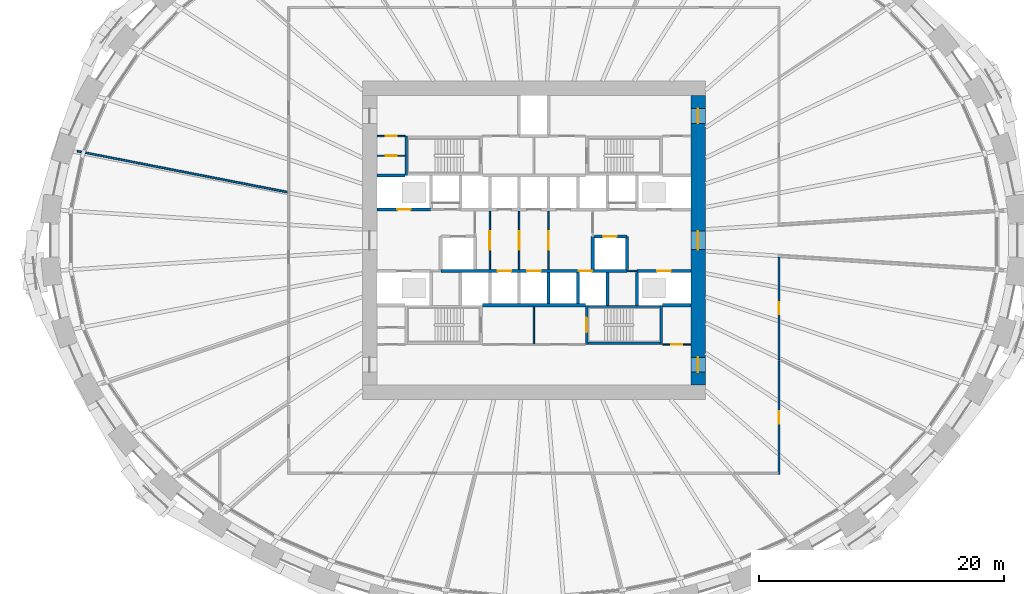
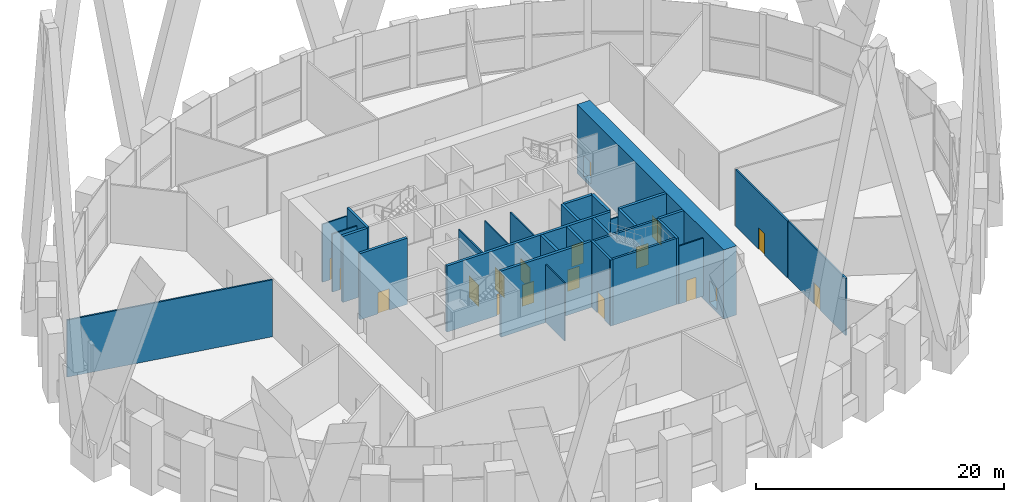
# One storey, part 10 of 17: 30 walls, 18 doors, 18 openings.
"""IFC4 building model written with IfcOpenShell, lengths in metres."""

from ifc_helpers import new_model, si_unit, direction, frame, frame_2d, origin, place, context, subcontext, project, spatial, rectangle, extrude, source, transform, mapped, material, layer, layer_set, type_object, element, fill, save


model = new_model("IFC4")

# Units and contexts
model_context = context("Model", 3, precision=1e-05, world=origin(), true_north=direction((0.0, 1.0)))
body_context = subcontext(model_context, "Body", "Model", "MODEL_VIEW")
ifc_project = project(units=[si_unit("LENGTHUNIT", "METRE"), si_unit("AREAUNIT", "SQUARE_METRE"), si_unit("VOLUMEUNIT", "CUBIC_METRE"), si_unit("PLANEANGLEUNIT", "RADIAN"), si_unit("MASSUNIT", "GRAM", prefix="KILO")], contexts=[model_context])

# Site, building, storey
site_placement = place(None, origin())
site = spatial("IfcSite", under=ifc_project, at=site_placement, CompositionType="ELEMENT")
building_placement = place(site_placement, origin())
building = spatial("IfcBuilding", under=site, at=building_placement, Name="Embergate Tower", CompositionType="ELEMENT")
storey_placement = place(building_placement, frame((0.0, 0.0, 125.0)))
storey = spatial("IfcBuildingStorey", under=building, at=storey_placement, Name="L27", CompositionType="ELEMENT", Elevation=125.0)

# Wall, openings, doors
ifc_material_1 = material(Name="Concrete C80", Category="concrete")
ifc_layer_1 = layer(ifc_material_1, 1.199951171875)
ifc_layer_set_1 = layer_set([ifc_layer_1], Name="Concrete C80")
wall_type_1 = type_object("IfcWallType", Name="Core outer wall C80 1200", PredefinedType="SHEAR", material=ifc_layer_set_1)
shared_shape_1 = source(origin(), body_context, "Body", "SweptSolid", [
    extrude(rectangle(XDim=23.60009765625, YDim=1.199951171875, at=frame_2d((11.800048828125, 0.0))), origin(), (0.0, 0.0, 1.0), 6.800048828125),
])
wall_1_placement = place(storey_placement, frame((13.39990234375, -11.800048828125, -0.300048828125), z_axis=(0.0, 0.0, 1.0), x_axis=(0.0, 1.0, 0.0)))
wall_1 = element("IfcWall", 1, at=wall_1_placement, inside=storey, type_object=wall_type_1, Name="CW-L27-E", PredefinedType="SHEAR", context=body_context, shape_type="MappedRepresentation", body=[
    mapped(shared_shape_1, transform((0.0, 0.0, 0.0))),
])
shared_shape_2 = source(origin(), body_context, "Body", "SweptSolid", [
    extrude(rectangle(XDim=1.199951171875, YDim=2.10009765625, at=frame_2d((0.60009765625, 1.050048828125))), frame((0.0, 0.60986328125, 0.0), z_axis=(0.0, -1.0, 0.0), x_axis=(1.0, 0.0, 0.0)), (0.0, 0.0, 1.0), 1.219970703125),
])
opening_1_placement = place(wall_1_placement, frame((21.35009765625, 0.0, 0.300048828125)))
opening_1 = element("IfcOpeningElement", 2, at=opening_1_placement, cuts=wall_1, Name="Opening IF-1", PredefinedType="OPENING", context=body_context, shape_type="MappedRepresentation", body=[
    mapped(shared_shape_2, transform((0.0, 0.0, 0.0))),
])
opening_2_placement = place(wall_1_placement, frame((1.050048828125, 0.0, 0.300048828125)))
opening_2 = element("IfcOpeningElement", 3, at=opening_2_placement, cuts=wall_1, Name="Opening IF-1", PredefinedType="OPENING", context=body_context, shape_type="MappedRepresentation", body=[
    mapped(shared_shape_2, transform((0.0, 0.0, 0.0))),
])
shared_shape_3 = source(origin(), body_context, "Body", "SweptSolid", [
    extrude(rectangle(XDim=1.5, YDim=2.10009765625, at=frame_2d((0.75, 1.050048828125))), frame((0.0, 0.60986328125, 0.0), z_axis=(0.0, -1.0, 0.0), x_axis=(1.0, 0.0, 0.0)), (0.0, 0.0, 1.0), 1.219970703125),
])
opening_3_placement = place(wall_1_placement, frame((11.050048828125, 0.0, 0.300048828125)))
opening_3 = element("IfcOpeningElement", 4, at=opening_3_placement, cuts=wall_1, Name="Opening IF-3", PredefinedType="OPENING", context=body_context, shape_type="MappedRepresentation", body=[
    mapped(shared_shape_3, transform((0.0, 0.0, 0.0))),
])
ifc_material_2 = material(Name="Escape fire door 1200")
door_type_1 = type_object("IfcDoorType", Name="Escape fire door 1200", OperationType="SINGLE_SWING_LEFT", PredefinedType="DOOR", material=ifc_material_2)
shared_shape_4 = source(origin(), body_context, "Body", "SweptSolid", [
    extrude(rectangle(XDim=1.199951171875, YDim=2.10009765625, at=frame_2d((0.60009765625, 1.050048828125))), frame((0.0, 0.02490234375, 0.0), z_axis=(0.0, -1.0, 0.0), x_axis=(1.0, 0.0, 0.0)), (0.0, 0.0, 1.0), 0.050048828125),
])
door_1_placement = place(opening_1_placement, origin())
door_1 = element("IfcDoor", 5, at=door_1_placement, inside=storey, type_object=door_type_1, Name="IF-1 door", OperationType="SINGLE_SWING_LEFT", OverallHeight=2.10009765625, OverallWidth=1.199951171875, PredefinedType="DOOR", context=body_context, shape_type="MappedRepresentation", body=[
    mapped(shared_shape_4, transform((0.0, 0.0, 0.0))),
])
fill(opening_1, door_1)
door_2_placement = place(opening_2_placement, origin())
door_2 = element("IfcDoor", 6, at=door_2_placement, inside=storey, type_object=door_type_1, Name="IF-1 door", OperationType="SINGLE_SWING_RIGHT", OverallHeight=2.10009765625, OverallWidth=1.199951171875, PredefinedType="DOOR", context=body_context, shape_type="MappedRepresentation", body=[
    mapped(shared_shape_4, transform((0.0, 0.0, 0.0))),
])
fill(opening_2, door_2)
ifc_material_3 = material(Name="Lobby fire door pair 1500")
door_type_2 = type_object("IfcDoorType", Name="Lobby fire door pair 1500", OperationType="DOUBLE_DOOR_SINGLE_SWING", PredefinedType="DOOR", material=ifc_material_3)
shared_shape_5 = source(origin(), body_context, "Body", "SweptSolid", [
    extrude(rectangle(XDim=1.5, YDim=2.10009765625, at=frame_2d((0.75, 1.050048828125))), frame((0.0, 0.02490234375, 0.0), z_axis=(0.0, -1.0, 0.0), x_axis=(1.0, 0.0, 0.0)), (0.0, 0.0, 1.0), 0.050048828125),
])
door_3_placement = place(opening_3_placement, origin())
door_3 = element("IfcDoor", 7, at=door_3_placement, inside=storey, type_object=door_type_2, Name="IF-3 door", OperationType="DOUBLE_DOOR_SINGLE_SWING", OverallHeight=2.10009765625, OverallWidth=1.5, PredefinedType="DOOR", context=body_context, shape_type="MappedRepresentation", body=[
    mapped(shared_shape_5, transform((0.0, 0.0, 0.0))),
])
fill(opening_3, door_3)

# Wall
ifc_material_4 = material(Name="Concrete C50", Category="concrete")
ifc_layer_2 = layer(ifc_material_4, 0.25)
ifc_layer_set_2 = layer_set([ifc_layer_2], Name="Concrete C50")
wall_type_2 = type_object("IfcWallType", Name="Hoistway wall reinforced concrete 250", PredefinedType="SHEAR", material=ifc_layer_set_2)
shared_shape_6 = source(origin(), body_context, "Body", "SweptSolid", [
    extrude(rectangle(XDim=2.675048828125, YDim=0.25, at=frame_2d((1.33740234375, 0.0))), origin(), (0.0, 0.0, 1.0), 6.5),
])
wall_2_placement = place(storey_placement, frame((4.800048828125, -2.375, 0.0), z_axis=(0.0, 0.0, 1.0), x_axis=(0.0, 1.0, 0.0)))
element("IfcWall", 8, at=wall_2_placement, inside=storey, type_object=wall_type_2, Name="HW-1 wall", PredefinedType="SHEAR", context=body_context, shape_type="MappedRepresentation", body=[
    mapped(shared_shape_6, transform((0.0, 0.0, 0.0))),
])

# Wall, opening, door
wall_3_placement = place(storey_placement, frame((7.60009765625, 0.300048828125, 0.0), z_axis=(0.0, 0.0, 1.0), x_axis=(-1.0, 0.0, 0.0)))
wall_3 = element("IfcWall", 9, at=wall_3_placement, inside=storey, type_object=wall_type_2, Name="HW-1 wall", PredefinedType="SHEAR", context=body_context, shape_type="MappedRepresentation", body=[
    mapped(shared_shape_6, transform((0.0, 0.0, 0.0))),
])
shared_shape_7 = source(origin(), body_context, "Body", "SweptSolid", [
    extrude(rectangle(XDim=1.10009765625, YDim=2.10009765625, at=frame_2d((0.550048828125, 1.050048828125))), frame((0.0, 0.135009765625, 0.0), z_axis=(0.0, -1.0, 0.0), x_axis=(1.0, 0.0, 0.0)), (0.0, 0.0, 1.0), 0.27001953125),
])
opening_4_placement = place(wall_3_placement, frame((0.85009765625, 0.0, 0.0)))
opening_4 = element("IfcOpeningElement", 10, at=opening_4_placement, cuts=wall_3, Name="Opening LD", PredefinedType="OPENING", context=body_context, shape_type="MappedRepresentation", body=[
    mapped(shared_shape_7, transform((0.0, 0.0, 0.0))),
])
ifc_material_5 = material(Name="Landing door sliding 1100")
door_type_3 = type_object("IfcDoorType", Name="Landing door sliding 1100", OperationType="SLIDING_TO_LEFT", PredefinedType="DOOR", material=ifc_material_5)
shared_shape_8 = source(origin(), body_context, "Body", "SweptSolid", [
    extrude(rectangle(XDim=1.10009765625, YDim=2.10009765625, at=frame_2d((0.550048828125, 1.050048828125))), frame((0.0, 0.02490234375, 0.0), z_axis=(0.0, -1.0, 0.0), x_axis=(1.0, 0.0, 0.0)), (0.0, 0.0, 1.0), 0.050048828125),
])
door_4_placement = place(opening_4_placement, origin())
door_4 = element("IfcDoor", 11, at=door_4_placement, inside=storey, type_object=door_type_3, Name="LD door", OperationType="SLIDING_TO_LEFT", OverallHeight=2.10009765625, OverallWidth=1.10009765625, PredefinedType="DOOR", context=body_context, shape_type="MappedRepresentation", body=[
    mapped(shared_shape_8, transform((0.0, 0.0, 0.0))),
])
fill(opening_4, door_4)

# Wall
wall_4_placement = place(storey_placement, frame((7.60009765625, -2.375, 0.0), z_axis=(0.0, 0.0, 1.0), x_axis=(0.0, 1.0, 0.0)))
element("IfcWall", 12, at=wall_4_placement, inside=storey, type_object=wall_type_2, Name="HW-1 wall", PredefinedType="SHEAR", context=body_context, shape_type="MappedRepresentation", body=[
    mapped(shared_shape_6, transform((0.0, 0.0, 0.0))),
])

# Wall, opening, door
shared_shape_9 = source(origin(), body_context, "Body", "SweptSolid", [
    extrude(rectangle(XDim=4.400146484375, YDim=0.25, at=frame_2d((2.2001953125, 0.0))), origin(), (0.0, 0.0, 1.0), 6.5),
])
wall_5_placement = place(storey_placement, frame((-12.800048828125, 2.5, 0.0), z_axis=(0.0, 0.0, 1.0), x_axis=(1.0, 0.0, 0.0)))
wall_5 = element("IfcWall", 13, at=wall_5_placement, inside=storey, type_object=wall_type_2, Name="HW-1 wall", PredefinedType="SHEAR", context=body_context, shape_type="MappedRepresentation", body=[
    mapped(shared_shape_9, transform((0.0, 0.0, 0.0))),
])
opening_5_placement = place(wall_5_placement, frame((1.64990234375, 0.0, 0.0)))
opening_5 = element("IfcOpeningElement", 14, at=opening_5_placement, cuts=wall_5, Name="Opening LD", PredefinedType="OPENING", context=body_context, shape_type="MappedRepresentation", body=[
    mapped(shared_shape_7, transform((0.0, 0.0, 0.0))),
])
door_5_placement = place(opening_5_placement, origin())
door_5 = element("IfcDoor", 15, at=door_5_placement, inside=storey, type_object=door_type_3, Name="LD door", OperationType="SLIDING_TO_LEFT", OverallHeight=2.10009765625, OverallWidth=1.10009765625, PredefinedType="DOOR", context=body_context, shape_type="MappedRepresentation", body=[
    mapped(shared_shape_8, transform((0.0, 0.0, 0.0))),
])
fill(opening_5, door_5)

wall_6_placement = place(storey_placement, frame((12.800048828125, -2.5, 0.0), z_axis=(0.0, 0.0, 1.0), x_axis=(-1.0, 0.0, 0.0)))
wall_6 = element("IfcWall", 16, at=wall_6_placement, inside=storey, type_object=wall_type_2, Name="HW-1 wall", PredefinedType="SHEAR", context=body_context, shape_type="MappedRepresentation", body=[
    mapped(shared_shape_9, transform((0.0, 0.0, 0.0))),
])
opening_6_placement = place(wall_6_placement, frame((1.64990234375, 0.0, 0.0)))
opening_6 = element("IfcOpeningElement", 17, at=opening_6_placement, cuts=wall_6, Name="Opening LD", PredefinedType="OPENING", context=body_context, shape_type="MappedRepresentation", body=[
    mapped(shared_shape_7, transform((0.0, 0.0, 0.0))),
])
door_6_placement = place(opening_6_placement, origin())
door_6 = element("IfcDoor", 18, at=door_6_placement, inside=storey, type_object=door_type_3, Name="LD door", OperationType="SLIDING_TO_RIGHT", OverallHeight=2.10009765625, OverallWidth=1.10009765625, PredefinedType="DOOR", context=body_context, shape_type="MappedRepresentation", body=[
    mapped(shared_shape_8, transform((0.0, 0.0, 0.0))),
])
fill(opening_6, door_6)

# Walls
ifc_layer_3 = layer(ifc_material_4, 0.199951171875)
ifc_layer_set_3 = layer_set([ifc_layer_3], Name="Concrete C50")
wall_type_3 = type_object("IfcWallType", Name="Stair enclosure wall reinforced concrete 250", PredefinedType="SHEAR", material=ifc_layer_set_3)
shared_shape_10 = source(origin(), body_context, "Body", "SweptSolid", [
    extrude(rectangle(XDim=6.300048828125, YDim=0.199951171875, at=frame_2d((3.14990234375, 0.0))), origin(), (0.0, 0.0, 1.0), 6.5),
])
for number, where, z_axis, x_axis, name in (
    (19, (4.199951171875, -5.39990234375, 0.0), (0.0, 0.0, 1.0), (1.0, 0.0, 0.0), "SE-1 wall"),
    (20, (4.199951171875, -8.39990234375, 0.0), (0.0, 0.0, 1.0), (1.0, 0.0, 0.0), "SE-1 wall"),
):
    element("IfcWall", number, at=place(storey_placement, frame(where, z_axis=z_axis, x_axis=x_axis)), inside=storey, type_object=wall_type_3, Name=name, PredefinedType="SHEAR", context=body_context, shape_type="MappedRepresentation", body=[
        mapped(shared_shape_10, transform((0.0, 0.0, 0.0))),
    ])
shared_shape_11 = source(origin(), body_context, "Body", "SweptSolid", [
    extrude(rectangle(XDim=2.300048828125, YDim=0.25, at=frame_2d((1.14990234375, 0.0))), origin(), (0.0, 0.0, 1.0), 6.5),
])
for number, where, z_axis, x_axis, name in (
    (21, (-10.5, 5.300048828125, 0.0), (0.0, 0.0, 1.0), (-1.0, 0.0, 0.0), "HW-1 wall"),
    (22, (10.5, -5.300048828125, 0.0), (0.0, 0.0, 1.0), (1.0, 0.0, 0.0), "HW-1 wall"),
):
    element("IfcWall", number, at=place(storey_placement, frame(where, z_axis=z_axis, x_axis=x_axis)), inside=storey, type_object=wall_type_2, Name=name, PredefinedType="SHEAR", context=body_context, shape_type="MappedRepresentation", body=[
        mapped(shared_shape_11, transform((0.0, 0.0, 0.0))),
    ])
shared_shape_12 = source(origin(), body_context, "Body", "SweptSolid", [
    extrude(rectangle(XDim=2.550048828125, YDim=0.25, at=frame_2d((1.27490234375, 0.0))), origin(), (0.0, 0.0, 1.0), 6.5),
])
for number, where, z_axis, x_axis, name in (
    (23, (1.199951171875, -5.175048828125, 0.0), (0.0, 0.0, 1.0), (0.0, 1.0, 0.0), "HW-1 wall"),
    (24, (3.60009765625, -5.175048828125, 0.0), (0.0, 0.0, 1.0), (0.0, 1.0, 0.0), "HW-1 wall"),
):
    element("IfcWall", number, at=place(storey_placement, frame(where, z_axis=z_axis, x_axis=x_axis)), inside=storey, type_object=wall_type_2, Name=name, PredefinedType="SHEAR", context=body_context, shape_type="MappedRepresentation", body=[
        mapped(shared_shape_12, transform((0.0, 0.0, 0.0))),
    ])
shared_shape_13 = source(origin(), body_context, "Body", "SweptSolid", [
    extrude(rectangle(XDim=8.39990234375, YDim=0.25, at=frame_2d((4.199951171875, 0.0))), origin(), (0.0, 0.0, 1.0), 6.5),
])
wall_7_placement = place(storey_placement, frame((-4.199951171875, -5.300048828125, 0.0), z_axis=(0.0, 0.0, 1.0), x_axis=(1.0, 0.0, 0.0)))
element("IfcWall", 25, at=wall_7_placement, inside=storey, type_object=wall_type_2, Name="HW-1 wall", PredefinedType="SHEAR", context=body_context, shape_type="MappedRepresentation", body=[
    mapped(shared_shape_13, transform((0.0, 0.0, 0.0))),
])

# Wall, openings, doors
shared_shape_14 = source(origin(), body_context, "Body", "SweptSolid", [
    extrude(rectangle(XDim=15.19580078125, YDim=0.25, at=frame_2d((7.597900390625, 0.0))), origin(), (0.0, 0.0, 1.0), 6.5),
])
wall_8_placement = place(storey_placement, frame((7.597900390625, -2.5, 0.0), z_axis=(0.0, 0.0, 1.0), x_axis=(-1.0, 0.0, 0.0)))
wall_8 = element("IfcWall", 26, at=wall_8_placement, inside=storey, type_object=wall_type_2, Name="HW-1 wall", PredefinedType="SHEAR", context=body_context, shape_type="MappedRepresentation", body=[
    mapped(shared_shape_14, transform((0.0, 0.0, 0.0))),
])
opening_7_placement = place(wall_8_placement, frame((9.447998046875, 0.0, 0.0)))
opening_7 = element("IfcOpeningElement", 27, at=opening_7_placement, cuts=wall_8, Name="Opening LD", PredefinedType="OPENING", context=body_context, shape_type="MappedRepresentation", body=[
    mapped(shared_shape_7, transform((0.0, 0.0, 0.0))),
])
opening_8_placement = place(wall_8_placement, frame((7.048095703125, 0.0, 0.0)))
opening_8 = element("IfcOpeningElement", 28, at=opening_8_placement, cuts=wall_8, Name="Opening LD", PredefinedType="OPENING", context=body_context, shape_type="MappedRepresentation", body=[
    mapped(shared_shape_7, transform((0.0, 0.0, 0.0))),
])
opening_9_placement = place(wall_8_placement, frame((2.847900390625, 0.0, 0.0)))
opening_9 = element("IfcOpeningElement", 29, at=opening_9_placement, cuts=wall_8, Name="Opening LD", PredefinedType="OPENING", context=body_context, shape_type="MappedRepresentation", body=[
    mapped(shared_shape_7, transform((0.0, 0.0, 0.0))),
])
door_7_placement = place(opening_7_placement, origin())
door_7 = element("IfcDoor", 30, at=door_7_placement, inside=storey, type_object=door_type_3, Name="LD door", OperationType="SLIDING_TO_LEFT", OverallHeight=2.10009765625, OverallWidth=1.10009765625, PredefinedType="DOOR", context=body_context, shape_type="MappedRepresentation", body=[
    mapped(shared_shape_8, transform((0.0, 0.0, 0.0))),
])
fill(opening_7, door_7)
door_8_placement = place(opening_8_placement, origin())
door_8 = element("IfcDoor", 31, at=door_8_placement, inside=storey, type_object=door_type_3, Name="LD door", OperationType="SLIDING_TO_RIGHT", OverallHeight=2.10009765625, OverallWidth=1.10009765625, PredefinedType="DOOR", context=body_context, shape_type="MappedRepresentation", body=[
    mapped(shared_shape_8, transform((0.0, 0.0, 0.0))),
])
fill(opening_8, door_8)
door_9_placement = place(opening_9_placement, origin())
door_9 = element("IfcDoor", 32, at=door_9_placement, inside=storey, type_object=door_type_3, Name="LD door", OperationType="SLIDING_TO_RIGHT", OverallHeight=2.10009765625, OverallWidth=1.10009765625, PredefinedType="DOOR", context=body_context, shape_type="MappedRepresentation", body=[
    mapped(shared_shape_8, transform((0.0, 0.0, 0.0))),
])
fill(opening_9, door_9)

# Wall, opening, door
ifc_material_6 = material(Name="Core partition blockwork 120")
ifc_layer_4 = layer(ifc_material_6, 0.1201171875)
ifc_layer_set_4 = layer_set([ifc_layer_4], Name="Core partition blockwork 120")
wall_type_4 = type_object("IfcWallType", Name="Core partition blockwork 120", PredefinedType="PARTITIONING", material=ifc_layer_set_4)
shared_shape_15 = source(origin(), body_context, "Body", "SweptSolid", [
    extrude(rectangle(XDim=4.75, YDim=0.1201171875, at=frame_2d((2.375, 0.0))), origin(), (0.0, 0.0, 1.0), 5.699951171875),
])
wall_9_placement = place(storey_placement, frame((-3.60009765625, -2.375, 0.0), z_axis=(0.0, 0.0, 1.0), x_axis=(0.0, 1.0, 0.0)))
wall_9 = element("IfcWall", 33, at=wall_9_placement, inside=storey, type_object=wall_type_4, Name="IP-3 wall", PredefinedType="PARTITIONING", context=body_context, shape_type="MappedRepresentation", body=[
    mapped(shared_shape_15, transform((0.0, 0.0, 0.0))),
])
shared_shape_16 = source(origin(), body_context, "Body", "SweptSolid", [
    extrude(rectangle(XDim=1.5, YDim=2.10009765625, at=frame_2d((0.75, 1.050048828125))), frame((0.0, 0.070068359375, 0.0), z_axis=(0.0, -1.0, 0.0), x_axis=(1.0, 0.0, 0.0)), (0.0, 0.0, 1.0), 0.14013671875),
])
opening_10_placement = place(wall_9_placement, frame((1.625, 0.0, 0.0)))
opening_10 = element("IfcOpeningElement", 34, at=opening_10_placement, cuts=wall_9, Name="Opening IF-3", PredefinedType="OPENING", context=body_context, shape_type="MappedRepresentation", body=[
    mapped(shared_shape_16, transform((0.0, 0.0, 0.0))),
])
door_10_placement = place(opening_10_placement, origin())
door_10 = element("IfcDoor", 35, at=door_10_placement, inside=storey, type_object=door_type_2, Name="IF-3 door", OperationType="DOUBLE_DOOR_SINGLE_SWING", OverallHeight=2.10009765625, OverallWidth=1.5, PredefinedType="DOOR", context=body_context, shape_type="MappedRepresentation", body=[
    mapped(shared_shape_5, transform((0.0, 0.0, 0.0))),
])
fill(opening_10, door_10)

wall_10_placement = place(storey_placement, frame((-1.199951171875, -2.375, 0.0), z_axis=(0.0, 0.0, 1.0), x_axis=(0.0, 1.0, 0.0)))
wall_10 = element("IfcWall", 36, at=wall_10_placement, inside=storey, type_object=wall_type_4, Name="IP-3 wall", PredefinedType="PARTITIONING", context=body_context, shape_type="MappedRepresentation", body=[
    mapped(shared_shape_15, transform((0.0, 0.0, 0.0))),
])
opening_11_placement = place(wall_10_placement, frame((1.625, 0.0, 0.0)))
opening_11 = element("IfcOpeningElement", 37, at=opening_11_placement, cuts=wall_10, Name="Opening IF-3", PredefinedType="OPENING", context=body_context, shape_type="MappedRepresentation", body=[
    mapped(shared_shape_16, transform((0.0, 0.0, 0.0))),
])
door_11_placement = place(opening_11_placement, origin())
door_11 = element("IfcDoor", 38, at=door_11_placement, inside=storey, type_object=door_type_2, Name="IF-3 door", OperationType="DOUBLE_DOOR_SINGLE_SWING", OverallHeight=2.10009765625, OverallWidth=1.5, PredefinedType="DOOR", context=body_context, shape_type="MappedRepresentation", body=[
    mapped(shared_shape_5, transform((0.0, 0.0, 0.0))),
])
fill(opening_11, door_11)

wall_11_placement = place(storey_placement, frame((1.199951171875, -2.375, 0.0), z_axis=(0.0, 0.0, 1.0), x_axis=(0.0, 1.0, 0.0)))
wall_11 = element("IfcWall", 39, at=wall_11_placement, inside=storey, type_object=wall_type_4, Name="IP-3 wall", PredefinedType="PARTITIONING", context=body_context, shape_type="MappedRepresentation", body=[
    mapped(shared_shape_15, transform((0.0, 0.0, 0.0))),
])
opening_12_placement = place(wall_11_placement, frame((1.625, 0.0, 0.0)))
opening_12 = element("IfcOpeningElement", 40, at=opening_12_placement, cuts=wall_11, Name="Opening IF-3", PredefinedType="OPENING", context=body_context, shape_type="MappedRepresentation", body=[
    mapped(shared_shape_16, transform((0.0, 0.0, 0.0))),
])
door_12_placement = place(opening_12_placement, origin())
door_12 = element("IfcDoor", 41, at=door_12_placement, inside=storey, type_object=door_type_2, Name="IF-3 door", OperationType="DOUBLE_DOOR_SINGLE_SWING", OverallHeight=2.10009765625, OverallWidth=1.5, PredefinedType="DOOR", context=body_context, shape_type="MappedRepresentation", body=[
    mapped(shared_shape_5, transform((0.0, 0.0, 0.0))),
])
fill(opening_12, door_12)

# Wall
shared_shape_17 = source(origin(), body_context, "Body", "SweptSolid", [
    extrude(rectangle(XDim=3.199951171875, YDim=0.199951171875, at=frame_2d((1.60009765625, 0.0))), origin(), (0.0, 0.0, 1.0), 6.5),
])
wall_12_placement = place(storey_placement, frame((-10.39990234375, 8.5, 0.0), z_axis=(0.0, 0.0, 1.0), x_axis=(0.0, -1.0, 0.0)))
element("IfcWall", 42, at=wall_12_placement, inside=storey, type_object=wall_type_3, Name="SE-1 wall", PredefinedType="SHEAR", context=body_context, shape_type="MappedRepresentation", body=[
    mapped(shared_shape_17, transform((0.0, 0.0, 0.0))),
])

# Wall, opening, door
wall_13_placement = place(storey_placement, frame((4.300048828125, -5.300048828125, 0.0), z_axis=(0.0, 0.0, 1.0), x_axis=(0.0, -1.0, 0.0)))
wall_13 = element("IfcWall", 43, at=wall_13_placement, inside=storey, type_object=wall_type_3, Name="SE-1 wall", PredefinedType="SHEAR", context=body_context, shape_type="MappedRepresentation", body=[
    mapped(shared_shape_17, transform((0.0, 0.0, 0.0))),
])
shared_shape_18 = source(origin(), body_context, "Body", "SweptSolid", [
    extrude(rectangle(XDim=1.199951171875, YDim=2.10009765625, at=frame_2d((0.60009765625, 1.050048828125))), frame((0.0, 0.10986328125, 0.0), z_axis=(0.0, -1.0, 0.0), x_axis=(1.0, 0.0, 0.0)), (0.0, 0.0, 1.0), 0.219970703125),
])
opening_13_placement = place(wall_13_placement, frame((1.0, 0.0, 0.0)))
opening_13 = element("IfcOpeningElement", 44, at=opening_13_placement, cuts=wall_13, Name="Opening IF-2", PredefinedType="OPENING", context=body_context, shape_type="MappedRepresentation", body=[
    mapped(shared_shape_18, transform((0.0, 0.0, 0.0))),
])
ifc_material_7 = material(Name="Stair enclosure door 1200")
door_type_4 = type_object("IfcDoorType", Name="Stair enclosure door 1200", OperationType="SINGLE_SWING_LEFT", PredefinedType="DOOR", material=ifc_material_7)
door_13_placement = place(opening_13_placement, origin())
door_13 = element("IfcDoor", 45, at=door_13_placement, inside=storey, type_object=door_type_4, Name="IF-2 door", OperationType="SINGLE_SWING_RIGHT", OverallHeight=2.10009765625, OverallWidth=1.199951171875, PredefinedType="DOOR", context=body_context, shape_type="MappedRepresentation", body=[
    mapped(shared_shape_4, transform((0.0, 0.0, 0.0))),
])
fill(opening_13, door_13)

# Walls
wall_14_placement = place(storey_placement, frame((10.39990234375, -8.5, 0.0), z_axis=(0.0, 0.0, 1.0), x_axis=(0.0, 1.0, 0.0)))
element("IfcWall", 46, at=wall_14_placement, inside=storey, type_object=wall_type_3, Name="SE-1 wall", PredefinedType="SHEAR", context=body_context, shape_type="MappedRepresentation", body=[
    mapped(shared_shape_17, transform((0.0, 0.0, 0.0))),
])
shared_shape_19 = source(origin(), body_context, "Body", "SweptSolid", [
    extrude(rectangle(XDim=3.014892578125, YDim=0.1201171875, at=frame_2d((1.50732421875, 0.0))), origin(), (0.0, 0.0, 1.0), 5.699951171875),
])
wall_15_placement = place(storey_placement, frame((0.0, -8.43994140625, 0.0), z_axis=(0.0, 0.0, 1.0), x_axis=(0.0, 1.0, 0.0)))
element("IfcWall", 47, at=wall_15_placement, inside=storey, type_object=wall_type_4, Name="IP-3 wall", PredefinedType="PARTITIONING", context=body_context, shape_type="MappedRepresentation", body=[
    mapped(shared_shape_19, transform((0.0, 0.0, 0.0))),
])

# Wall, opening, door
shared_shape_20 = source(origin(), body_context, "Body", "SweptSolid", [
    extrude(rectangle(XDim=2.300048828125, YDim=0.1201171875, at=frame_2d((1.14990234375, 0.0))), origin(), (0.0, 0.0, 1.0), 5.699951171875),
])
wall_16_placement = place(storey_placement, frame((-12.800048828125, 8.5, 0.0), z_axis=(0.0, 0.0, 1.0), x_axis=(1.0, 0.0, 0.0)))
wall_16 = element("IfcWall", 48, at=wall_16_placement, inside=storey, type_object=wall_type_4, Name="IP-3 wall", PredefinedType="PARTITIONING", context=body_context, shape_type="MappedRepresentation", body=[
    mapped(shared_shape_20, transform((0.0, 0.0, 0.0))),
])
shared_shape_21 = source(origin(), body_context, "Body", "SweptSolid", [
    extrude(rectangle(XDim=0.89990234375, YDim=2.10009765625, at=frame_2d((0.449951171875, 1.050048828125))), frame((0.0, 0.070068359375, 0.0), z_axis=(0.0, -1.0, 0.0), x_axis=(1.0, 0.0, 0.0)), (0.0, 0.0, 1.0), 0.14013671875),
])
opening_14_placement = place(wall_16_placement, frame((0.699951171875, 0.0, 0.0)))
opening_14 = element("IfcOpeningElement", 49, at=opening_14_placement, cuts=wall_16, Name="Opening ID-1", PredefinedType="OPENING", context=body_context, shape_type="MappedRepresentation", body=[
    mapped(shared_shape_21, transform((0.0, 0.0, 0.0))),
])
ifc_material_8 = material(Name="Interior door 900")
door_type_5 = type_object("IfcDoorType", Name="Interior door 900", OperationType="SINGLE_SWING_LEFT", PredefinedType="DOOR", material=ifc_material_8)
shared_shape_22 = source(origin(), body_context, "Body", "SweptSolid", [
    extrude(rectangle(XDim=0.89990234375, YDim=2.10009765625, at=frame_2d((0.449951171875, 1.050048828125))), frame((0.0, 0.02490234375, 0.0), z_axis=(0.0, -1.0, 0.0), x_axis=(1.0, 0.0, 0.0)), (0.0, 0.0, 1.0), 0.050048828125),
])
door_14_placement = place(opening_14_placement, origin())
door_14 = element("IfcDoor", 50, at=door_14_placement, inside=storey, type_object=door_type_5, Name="ID-1 door", OperationType="SINGLE_SWING_LEFT", OverallHeight=2.10009765625, OverallWidth=0.89990234375, PredefinedType="DOOR", context=body_context, shape_type="MappedRepresentation", body=[
    mapped(shared_shape_22, transform((0.0, 0.0, 0.0))),
])
fill(opening_14, door_14)

wall_17_placement = place(storey_placement, frame((12.800048828125, -8.5, 0.0), z_axis=(0.0, 0.0, 1.0), x_axis=(-1.0, 0.0, 0.0)))
wall_17 = element("IfcWall", 51, at=wall_17_placement, inside=storey, type_object=wall_type_4, Name="IP-3 wall", PredefinedType="PARTITIONING", context=body_context, shape_type="MappedRepresentation", body=[
    mapped(shared_shape_20, transform((0.0, 0.0, 0.0))),
])
opening_15_placement = place(wall_17_placement, frame((0.699951171875, 0.0, 0.0)))
opening_15 = element("IfcOpeningElement", 52, at=opening_15_placement, cuts=wall_17, Name="Opening ID-1", PredefinedType="OPENING", context=body_context, shape_type="MappedRepresentation", body=[
    mapped(shared_shape_21, transform((0.0, 0.0, 0.0))),
])
door_15_placement = place(opening_15_placement, origin())
door_15 = element("IfcDoor", 53, at=door_15_placement, inside=storey, type_object=door_type_5, Name="ID-1 door", OperationType="SINGLE_SWING_LEFT", OverallHeight=2.10009765625, OverallWidth=0.89990234375, PredefinedType="DOOR", context=body_context, shape_type="MappedRepresentation", body=[
    mapped(shared_shape_22, transform((0.0, 0.0, 0.0))),
])
fill(opening_15, door_15)

wall_18_placement = place(storey_placement, frame((-10.5, 6.89990234375, 0.0), z_axis=(0.0, 0.0, 1.0), x_axis=(-1.0, 0.0, 0.0)))
wall_18 = element("IfcWall", 54, at=wall_18_placement, inside=storey, type_object=wall_type_4, Name="IP-3 wall", PredefinedType="PARTITIONING", context=body_context, shape_type="MappedRepresentation", body=[
    mapped(shared_shape_20, transform((0.0, 0.0, 0.0))),
])
opening_16_placement = place(wall_18_placement, frame((0.699951171875, 0.0, 0.0)))
opening_16 = element("IfcOpeningElement", 55, at=opening_16_placement, cuts=wall_18, Name="Opening ID-1", PredefinedType="OPENING", context=body_context, shape_type="MappedRepresentation", body=[
    mapped(shared_shape_21, transform((0.0, 0.0, 0.0))),
])
door_16_placement = place(opening_16_placement, origin())
door_16 = element("IfcDoor", 56, at=door_16_placement, inside=storey, type_object=door_type_5, Name="ID-1 door", OperationType="SINGLE_SWING_RIGHT", OverallHeight=2.10009765625, OverallWidth=0.89990234375, PredefinedType="DOOR", context=body_context, shape_type="MappedRepresentation", body=[
    mapped(shared_shape_22, transform((0.0, 0.0, 0.0))),
])
fill(opening_16, door_16)

# Walls
shared_shape_23 = source(origin(), body_context, "Body", "SweptSolid", [
    extrude(rectangle(XDim=2.671142578125, YDim=0.25, at=frame_2d((1.33544921875, 0.0))), origin(), (0.0, 0.0, 1.0), 6.5),
])
for number, where, z_axis, x_axis, name in (
    (57, (6.0, -5.298095703125, 0.0), (0.0, 0.0, 1.0), (0.0, 1.0, 0.0), "HW-1 wall"),
    (58, (8.39990234375, -2.626953125, 0.0), (0.0, 0.0, 1.0), (0.0, -1.0, 0.0), "HW-1 wall"),
):
    element("IfcWall", number, at=place(storey_placement, frame(where, z_axis=z_axis, x_axis=x_axis)), inside=storey, type_object=wall_type_2, Name=name, PredefinedType="SHEAR", context=body_context, shape_type="MappedRepresentation", body=[
        mapped(shared_shape_23, transform((0.0, 0.0, 0.0))),
    ])
shared_shape_24 = source(origin(), body_context, "Body", "SweptSolid", [
    extrude(rectangle(XDim=0.7958984375, YDim=0.1201171875, at=frame_2d((0.39794921875, 0.0))), origin(), (0.0, 0.0, 1.0), 5.699951171875),
])
wall_19_placement = place(storey_placement, frame((7.60205078125, -2.5, 0.0), z_axis=(0.0, 0.0, 1.0), x_axis=(1.0, 0.0, 0.0)))
element("IfcWall", 59, at=wall_19_placement, inside=storey, type_object=wall_type_4, Name="IP-3 wall", PredefinedType="PARTITIONING", context=body_context, shape_type="MappedRepresentation", body=[
    mapped(shared_shape_24, transform((0.0, 0.0, 0.0))),
])
ifc_material_9 = material(Name="Plasterboard on steel stud", Category="steel")
ifc_layer_5 = layer(ifc_material_9, 0.14990234375)
ifc_layer_set_5 = layer_set([ifc_layer_5], Name="Plasterboard on steel stud")
wall_type_5 = type_object("IfcWallType", Name="Partition wall 150 board", PredefinedType="PARTITIONING", material=ifc_layer_set_5)
shared_shape_25 = source(origin(), body_context, "Body", "SweptSolid", [
    extrude(rectangle(XDim=17.505859375, YDim=0.14990234375, at=frame_2d((8.7529296875, 0.0))), origin(), (0.0, 0.0, 1.0), 5.60009765625),
])
wall_20_placement = place(storey_placement, frame((-20.073974609375, 3.9208984375, 0.0), z_axis=(0.0, 0.0, 1.0), x_axis=(-0.9814389593, 0.191774787622, 0.0)))
element("IfcWall", 60, at=wall_20_placement, inside=storey, type_object=wall_type_5, Name="Partition 010", PredefinedType="PARTITIONING", context=body_context, shape_type="MappedRepresentation", body=[
    mapped(shared_shape_25, transform((0.0, 0.0, 0.0))),
])

# Wall, opening, door
shared_shape_26 = source(origin(), body_context, "Body", "SweptSolid", [
    extrude(rectangle(XDim=9.238037109375, YDim=0.14990234375, at=frame_2d((4.619140625, 0.0))), origin(), (0.0, 0.0, 1.0), 5.60009765625),
])
wall_21_placement = place(storey_placement, frame((20.0, -9.8369140625, 0.0), z_axis=(0.0, 0.0, 1.0), x_axis=(0.0, -1.0, 0.0)))
wall_21 = element("IfcWall", 61, at=wall_21_placement, inside=storey, type_object=wall_type_5, Name="Partition 028", PredefinedType="PARTITIONING", context=body_context, shape_type="MappedRepresentation", body=[
    mapped(shared_shape_26, transform((0.0, 0.0, 0.0))),
])
shared_shape_27 = source(origin(), body_context, "Body", "SweptSolid", [
    extrude(rectangle(XDim=1.0, YDim=2.10009765625, at=frame_2d((0.5, 1.050048828125))), frame((0.0, 0.0849609375, 0.0), z_axis=(0.0, -1.0, 0.0), x_axis=(1.0, 0.0, 0.0)), (0.0, 0.0, 1.0), 0.169921875),
])
opening_17_placement = place(wall_21_placement, frame((4.118896484375, 0.0, 0.0)))
opening_17 = element("IfcOpeningElement", 62, at=opening_17_placement, cuts=wall_21, Name="Opening DS-117", PredefinedType="OPENING", context=body_context, shape_type="MappedRepresentation", body=[
    mapped(shared_shape_27, transform((0.0, 0.0, 0.0))),
])
ifc_material_10 = material(Name="Timber door leaf, steel frame", Category="steel")
door_type_6 = type_object("IfcDoorType", Name="Single door 1000x2100", OperationType="SINGLE_SWING_LEFT", PredefinedType="DOOR", material=ifc_material_10)
shared_shape_28 = source(origin(), body_context, "Body", "SweptSolid", [
    extrude(rectangle(XDim=1.0, YDim=2.10009765625, at=frame_2d((0.5, 1.050048828125))), frame((0.0, 0.02490234375, 0.0), z_axis=(0.0, -1.0, 0.0), x_axis=(1.0, 0.0, 0.0)), (0.0, 0.0, 1.0), 0.050048828125),
])
door_17_placement = place(opening_17_placement, origin())
door_17 = element("IfcDoor", 63, at=door_17_placement, inside=storey, type_object=door_type_6, Name="Door to Business centre", OperationType="SINGLE_SWING_LEFT", OverallHeight=2.10009765625, OverallWidth=1.0, PredefinedType="DOOR", context=body_context, shape_type="MappedRepresentation", body=[
    mapped(shared_shape_28, transform((0.0, 0.0, 0.0))),
])
fill(opening_17, door_17)

shared_shape_29 = source(origin(), body_context, "Body", "SweptSolid", [
    extrude(rectangle(XDim=8.375, YDim=0.14990234375, at=frame_2d((4.1875, 0.0))), origin(), (0.0, 0.0, 1.0), 5.60009765625),
])
wall_22_placement = place(storey_placement, frame((20.0, -1.362060546875, 0.0), z_axis=(0.0, 0.0, 1.0), x_axis=(0.0, -1.0, 0.0)))
wall_22 = element("IfcWall", 64, at=wall_22_placement, inside=storey, type_object=wall_type_5, Name="Partition 030", PredefinedType="PARTITIONING", context=body_context, shape_type="MappedRepresentation", body=[
    mapped(shared_shape_29, transform((0.0, 0.0, 0.0))),
])
opening_18_placement = place(wall_22_placement, frame((3.68798828125, 0.0, 0.0)))
opening_18 = element("IfcOpeningElement", 65, at=opening_18_placement, cuts=wall_22, Name="Opening DS-118", PredefinedType="OPENING", context=body_context, shape_type="MappedRepresentation", body=[
    mapped(shared_shape_27, transform((0.0, 0.0, 0.0))),
])
door_18_placement = place(opening_18_placement, origin())
door_18 = element("IfcDoor", 66, at=door_18_placement, inside=storey, type_object=door_type_6, Name="Door to Staff room", OperationType="SINGLE_SWING_LEFT", OverallHeight=2.10009765625, OverallWidth=1.0, PredefinedType="DOOR", context=body_context, shape_type="MappedRepresentation", body=[
    mapped(shared_shape_28, transform((0.0, 0.0, 0.0))),
])
fill(opening_18, door_18)

save(model, "model.ifc")
